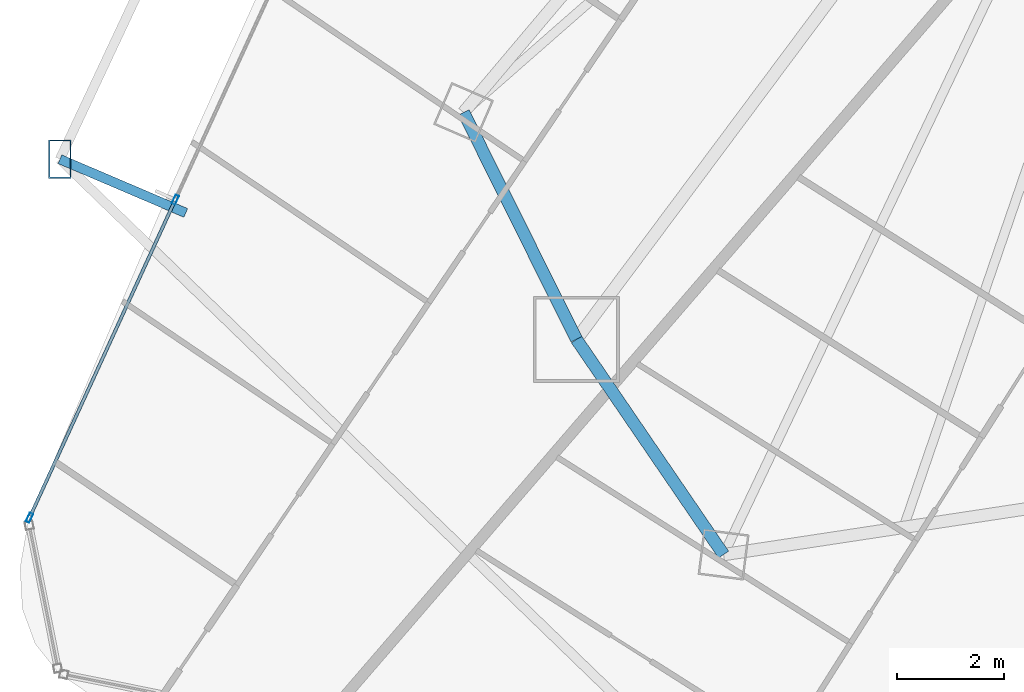
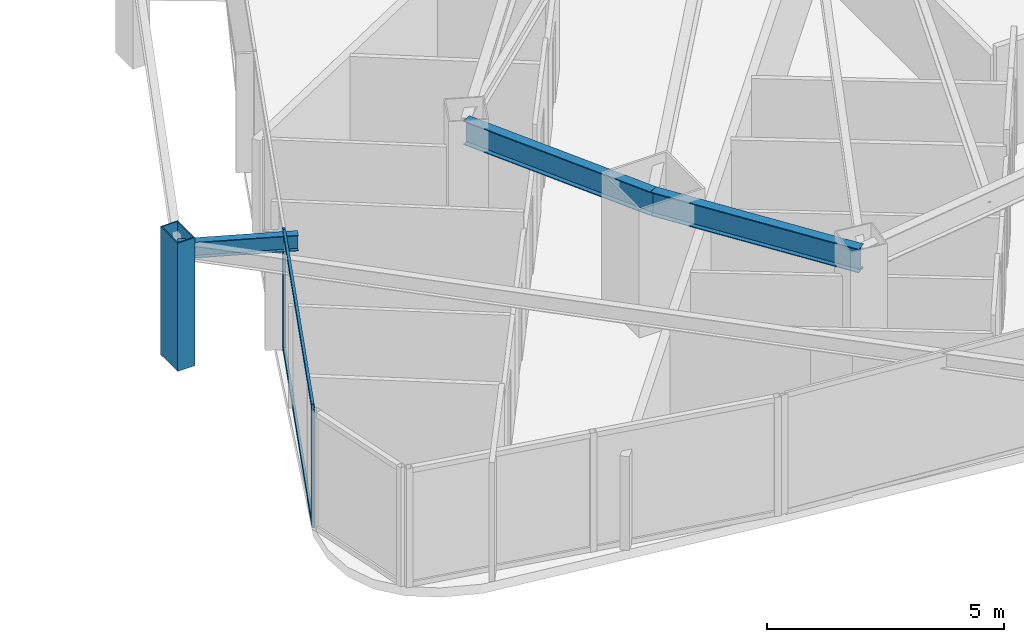
# One storey, part 5 of 35: 5 members, 3 beams, 1 element without a shape of its own.
"""IFC4 building model written with IfcOpenShell, lengths in metres."""

from ifc_helpers import new_model, si_unit, direction, frame, origin, origin_2d, place, context, subcontext, project, spatial, hollow_rectangle, i_section, extrude, material, layer, layer_set, material_profile, profile_set, type_object, element, aggregate, save


model = new_model("IFC4")

# Units and contexts
model_context = context("Model", 3, precision=1e-05, world=origin(), true_north=direction((0.0, 1.0)))
body_context = subcontext(model_context, "Body", "Model", "MODEL_VIEW")
ifc_project = project(units=[si_unit("LENGTHUNIT", "METRE"), si_unit("AREAUNIT", "SQUARE_METRE"), si_unit("VOLUMEUNIT", "CUBIC_METRE"), si_unit("PLANEANGLEUNIT", "RADIAN"), si_unit("MASSUNIT", "GRAM", prefix="KILO")], contexts=[model_context])

# Site, building, storey
site_placement = place(None, origin())
site = spatial("IfcSite", under=ifc_project, at=site_placement, CompositionType="ELEMENT")
building_placement = place(site_placement, origin())
building = spatial("IfcBuilding", under=site, at=building_placement, Name="Orvanel Arch Residences", CompositionType="ELEMENT")
storey_placement = place(building_placement, frame((0.0, 0.0, 26.89990234375)))
storey = spatial("IfcBuildingStorey", under=building, at=storey_placement, Name="L06", CompositionType="ELEMENT", Elevation=26.89990234375)

# Member
ifc_material_1 = material(Name="Structural steel AS/NZS 3678 Grade 350", Category="steel")
ifc_material_profile_1 = material_profile(ifc_material_1, hollow_rectangle(XDim=0.419921875, YDim=0.719970703125, WallThickness=0.02490234375, at=origin_2d()), Name="RHS720x420x25")
ifc_profile_set_1 = profile_set([ifc_material_profile_1], Name="Structural steel AS/NZS 3678 Grade 350")
member_type_1 = type_object("IfcMemberType", Name="CH-720RHS-EXT", PredefinedType="CHORD", material=ifc_profile_set_1)
member_1_placement = place(storey_placement, frame((4.572998046875, 13.7080078125, 0.0), z_axis=(0.0, 0.0, 1.0), x_axis=(1.0, 0.0, 0.0)))
element("IfcMember", 1, at=member_1_placement, inside=storey, type_object=member_type_1, Name="L06 Outer Perimeter Frame Post 04", PredefinedType="CHORD", context=body_context, shape_type="SweptSolid", body=[
    extrude(hollow_rectangle(XDim=0.419921875, YDim=0.719970703125, WallThickness=0.02490234375, at=origin_2d()), origin(), (0.0, 0.0, 1.0), 3.300048828125),
])

# Curtain wall, members
ifc_material_2 = material(Name="Bronze-anodised aluminium AA6063-T6", Category="aluminium")
ifc_layer = layer(ifc_material_2, 0.179931640625)
ifc_layer_set = layer_set([ifc_layer], Name="Bronze-anodised aluminium AA6063-T6")
curtain_wall_type = type_object("IfcCurtainWallType", Name="CW2-LOW-SYS", PredefinedType="NOTDEFINED", material=ifc_layer_set)
curtain_wall_placement = place(storey_placement, origin())
curtain_wall = element("IfcCurtainWall", 2, at=curtain_wall_placement, inside=storey, type_object=curtain_wall_type, Name="L06 CW2-LOW-SYS Unitised Curtain Wall", PredefinedType="NOTDEFINED")
ifc_material_profile_2 = material_profile(ifc_material_2, hollow_rectangle(XDim=0.070068359375, YDim=0.179931640625, WallThickness=0.00439453125, at=origin_2d()), Name="ALU180x70x4.5")
ifc_profile_set_2 = profile_set([ifc_material_profile_2], Name="Bronze-anodised aluminium AA6063-T6")
member_type_2 = type_object("IfcMemberType", Name="MUL-180x70", PredefinedType="MULLION", material=ifc_profile_set_2)
member_2_placement = place(storey_placement, frame((6.722900390625, 12.95166015625, 0.0), z_axis=(0.0, 0.0, 1.0), x_axis=(0.909015042916, -0.416763304229, 0.0)))
member_2 = element("IfcMember", 3, at=member_2_placement, type_object=member_type_2, Name="CW-S2 mullion 3", PredefinedType="MULLION", context=body_context, shape_type="SweptSolid", body=[
    extrude(hollow_rectangle(XDim=0.070068359375, YDim=0.179931640625, WallThickness=0.00439453125, at=origin_2d()), origin(), (0.0, 0.0, 1.0), 3.06005859375),
])
member_3_placement = place(storey_placement, frame((4.006591796875, 7.02685546875, 0.0), z_axis=(0.0, 0.0, 1.0), x_axis=(0.909015042916, -0.416763304229, 0.0)))
member_3 = element("IfcMember", 4, at=member_3_placement, type_object=member_type_2, Name="CW-S2 mullion 4", PredefinedType="MULLION", context=body_context, shape_type="SweptSolid", body=[
    extrude(hollow_rectangle(XDim=0.070068359375, YDim=0.179931640625, WallThickness=0.00439453125, at=origin_2d()), origin(), (0.0, 0.0, 1.0), 3.06005859375),
])

# Beams
ifc_material_3 = material(Name="Structural steel AS/NZS 3679.1 Grade 300 (300 MPa)", Category="steel")
ifc_material_profile_3 = material_profile(ifc_material_3, i_section(OverallWidth=0.177978515625, OverallDepth=0.406005859375, WebThickness=0.0078125, FlangeThickness=0.0126953125, at=origin_2d()), Name="410UB59.7")
ifc_profile_set_3 = profile_set([ifc_material_profile_3], Name="Structural steel AS/NZS 3679.1 Grade 300 (300 MPa)")
beam_type_1 = type_object("IfcBeamType", Name="OB-410UB-EXT", PredefinedType="SPANDREL", material=ifc_profile_set_3)
beam_1_placement = place(storey_placement, frame((6.9189453125, 12.70703125, 2.857177734375), z_axis=(-0.919772639873, 0.392451641532, 0.0), x_axis=(-0.392451641532, -0.919772639873, 0.0)))
element("IfcBeam", 5, at=beam_1_placement, inside=storey, type_object=beam_type_1, Name="L06 Outer Frame Radial Tie Beam 04", PredefinedType="SPANDREL", context=body_context, shape_type="SweptSolid", body=[
    extrude(i_section(OverallWidth=0.177978515625, OverallDepth=0.406005859375, WebThickness=0.0078125, FlangeThickness=0.0126953125, at=origin_2d()), origin(), (0.0, 0.0, 1.0), 2.550537109375),
])
ifc_material_profile_4 = material_profile(ifc_material_3, i_section(OverallWidth=0.22900390625, OverallDepth=0.612060546875, WebThickness=0.011962890625, FlangeThickness=0.01953125, at=origin_2d()), Name="610UB125")
ifc_profile_set_4 = profile_set([ifc_material_profile_4], Name="Structural steel AS/NZS 3679.1 Grade 300 (300 MPa)")
beam_type_2 = type_object("IfcBeamType", Name="SP-610UB", PredefinedType="SPANDREL", material=ifc_profile_set_4)
beam_2_placement = place(storey_placement, frame((12.094970703125, 14.580078125, 2.754150390625), z_axis=(0.44543469453, -0.895314432425, 0.0), x_axis=(0.895314432425, 0.44543469453, 0.0)))
element("IfcBeam", 6, at=beam_2_placement, inside=storey, type_object=beam_type_2, Name="L06 Perimeter Spandrel Beam 02", PredefinedType="SPANDREL", context=body_context, shape_type="SweptSolid", body=[
    extrude(i_section(OverallWidth=0.22900390625, OverallDepth=0.612060546875, WebThickness=0.011962890625, FlangeThickness=0.01953125, at=origin_2d()), origin(), (0.0, 0.0, 1.0), 4.723388671875),
])
beam_3_placement = place(storey_placement, frame((14.198974609375, 10.35107421875, 2.754150390625), z_axis=(0.564251579852, -0.825602903722, 0.0), x_axis=(0.825602903722, 0.564251579852, 0.0)))
element("IfcBeam", 7, at=beam_3_placement, inside=storey, type_object=beam_type_2, Name="L06 Perimeter Spandrel Beam 03", PredefinedType="SPANDREL", context=body_context, shape_type="SweptSolid", body=[
    extrude(i_section(OverallWidth=0.22900390625, OverallDepth=0.612060546875, WebThickness=0.011962890625, FlangeThickness=0.01953125, at=origin_2d()), origin(), (0.0, 0.0, 1.0), 4.859375),
])

# Member
ifc_material_profile_5 = material_profile(ifc_material_2, hollow_rectangle(XDim=0.06005859375, YDim=0.135009765625, WallThickness=0.00390625, at=origin_2d()), Name="ALU135x60x4")
ifc_profile_set_5 = profile_set([ifc_material_profile_5], Name="Bronze-anodised aluminium AA6063-T6")
member_type_3 = type_object("IfcMemberType", Name="TRN-135x60", PredefinedType="USERDEFINED", material=ifc_profile_set_5)
member_4_placement = place(storey_placement, frame((6.70849609375, 12.919921875, 0.030029296875), z_axis=(-0.416759007792, -0.909017012725, 0.0), x_axis=(0.909017012725, -0.416759007792, 0.0)))
member_4 = element("IfcMember", 8, at=member_4_placement, type_object=member_type_3, Name="CW-S2 transom 3.1", ObjectType="TRANSOM", PredefinedType="USERDEFINED", context=body_context, shape_type="SweptSolid", body=[
    extrude(hollow_rectangle(XDim=0.06005859375, YDim=0.135009765625, WallThickness=0.00390625, at=origin_2d()), origin(), (0.0, 0.0, 1.0), 6.447998046875),
])

member_5_placement = place(storey_placement, frame((6.70849609375, 12.919921875, 3.030029296875), z_axis=(-0.416759007792, -0.909017012725, 0.0), x_axis=(0.909017012725, -0.416759007792, 0.0)))
member_5 = element("IfcMember", 9, at=member_5_placement, type_object=member_type_3, Name="CW-S2 transom 3.2", ObjectType="TRANSOM", PredefinedType="USERDEFINED", context=body_context, shape_type="SweptSolid", body=[
    extrude(hollow_rectangle(XDim=0.06005859375, YDim=0.135009765625, WallThickness=0.00390625, at=origin_2d()), origin(), (0.0, 0.0, 1.0), 6.447998046875),
])

aggregate(curtain_wall, [member_2, member_3, member_4, member_5])

save(model, "model.ifc")
